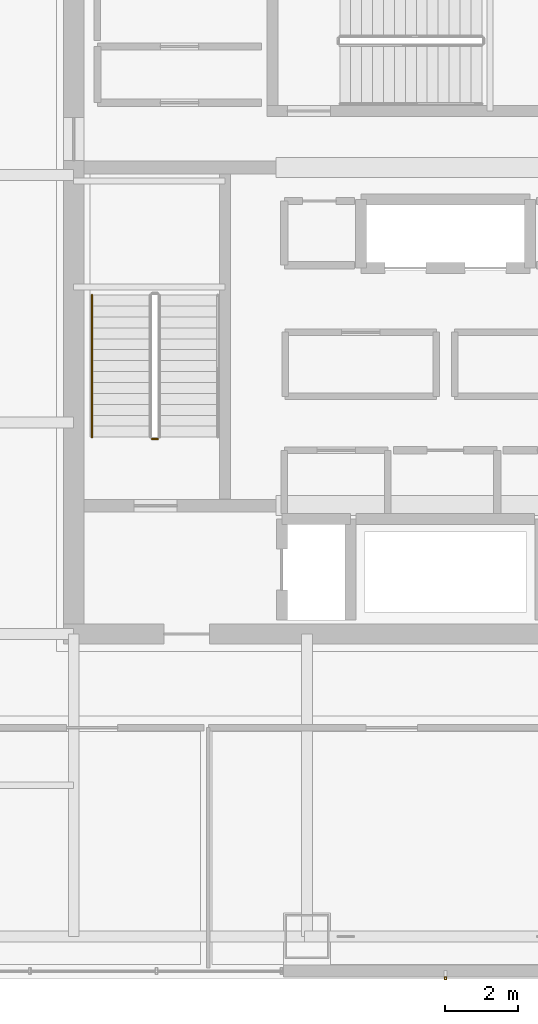
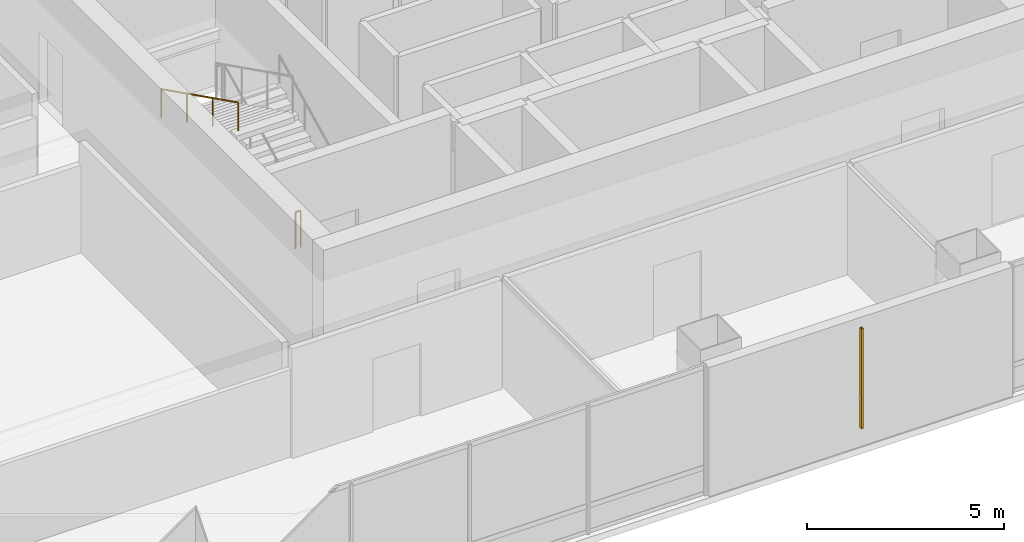
# One storey, part 37 of 43: 2 railings, 1 shading device.
"""IFC4 building model written with IfcOpenShell, lengths in metres."""

from ifc_helpers import new_model, si_unit, direction, frame, origin, origin_2d, place, context, subcontext, project, spatial, hollow_rectangle, circle, extrude, material, material_profile, profile_set, type_object, element, save


model = new_model("IFC4")

# Units and contexts
model_context = context("Model", 3, precision=1e-05, world=origin(), true_north=direction((0.0, 1.0)))
body_context = subcontext(model_context, "Body", "Model", "MODEL_VIEW")
ifc_project = project(units=[si_unit("LENGTHUNIT", "METRE"), si_unit("AREAUNIT", "SQUARE_METRE"), si_unit("VOLUMEUNIT", "CUBIC_METRE"), si_unit("PLANEANGLEUNIT", "RADIAN"), si_unit("MASSUNIT", "GRAM", prefix="KILO")], contexts=[model_context])

# Site, building, storey
site_placement = place(None, origin())
site = spatial("IfcSite", under=ifc_project, at=site_placement, CompositionType="ELEMENT")
building_placement = place(site_placement, origin())
building = spatial("IfcBuilding", under=site, at=building_placement, Name="Punatoya Terracotta Tower", CompositionType="ELEMENT")
storey_placement = place(building_placement, frame((0.0, 0.0, 300.60009765625)))
storey = spatial("IfcBuildingStorey", under=building, at=storey_placement, Name="L71", CompositionType="ELEMENT", Elevation=300.60009765625)

# Railings
ifc_material_1 = material(Name="Steel S355", Category="steel")
railing_type_1 = type_object("IfcRailingType", Name="RLG-GRD-1150", PredefinedType="GUARDRAIL", material=ifc_material_1)
railing_1_placement = place(storey_placement, frame((-7.89990234375, -3.85009765625, 0.0)))
element("IfcRailing", 1, at=railing_1_placement, inside=storey, type_object=railing_type_1, Name="L71 ST-1 stair guard 4", PredefinedType="GUARDRAIL", context=body_context, shape_type="SweptSolid", body=[
    extrude(circle(Radius=0.02392578125, at=origin_2d()), frame((0.0, 0.0, 1.1259765625), z_axis=(-1.0, 0.0, 0.0), x_axis=(0.0, -1.0, 0.0)), (0.0, 0.0, 1.0), 0.150146484375),
    extrude(circle(Radius=0.02099609375, at=origin_2d()), origin(), (0.0, 0.0, 1.0), 1.101806640625),
    extrude(circle(Radius=0.02099609375, at=origin_2d()), frame((-0.150146484375, 0.0, 0.0)), (0.0, 0.0, 1.0), 1.101806640625),
])
railing_type_2 = type_object("IfcRailingType", Name="RLG-HND-900", PredefinedType="HANDRAIL", material=ifc_material_1)
railing_2_placement = place(storey_placement, frame((-9.699951171875, 0.10009765625, 2.25)))
element("IfcRailing", 2, at=railing_2_placement, inside=storey, type_object=railing_type_2, Name="L71 ST-1 stair handrail 2", PredefinedType="HANDRAIL", context=body_context, shape_type="SweptSolid", body=[
    extrude(circle(Radius=0.02392578125, at=origin_2d()), frame((0.0, 0.0, 0.8759765625), z_axis=(0.0, -0.894438388696, 0.447191199406), x_axis=(1.0, 0.0, 0.0)), (0.0, 0.0, 1.0), 4.3603515625),
    extrude(circle(Radius=0.02099609375, at=origin_2d()), origin(), (0.0, 0.0, 1.0), 0.851806640625),
    extrude(circle(Radius=0.02099609375, at=origin_2d()), frame((0.0, -1.300048828125, 0.64990234375)), (0.0, 0.0, 1.0), 0.851806640625),
    extrude(circle(Radius=0.02099609375, at=origin_2d()), frame((0.0, -2.60009765625, 1.300048828125)), (0.0, 0.0, 1.0), 0.851806640625),
    extrude(circle(Radius=0.02099609375, at=origin_2d()), frame((0.0, -3.900146484375, 1.949951171875)), (0.0, 0.0, 1.0), 0.851806640625),
])

# Shading device
ifc_material_2 = material(Name="Architectural Fired Terracotta", Category="masonry")
ifc_material_profile = material_profile(ifc_material_2, hollow_rectangle(XDim=0.06005859375, YDim=0.090087890625, WallThickness=0.013916015625, at=origin_2d()))
ifc_profile_set = profile_set([ifc_material_profile], Name="Architectural Fired Terracotta")
shading_device_type = type_object("IfcShadingDeviceType", Name="SHD-JALI-90", PredefinedType="JALOUSIE", material=ifc_profile_set)
shading_device_placement = place(storey_placement, frame((0.0, -18.64990234375, 0.599853515625), z_axis=(0.0, 0.0, 1.0), x_axis=(1.0, 0.0, 0.0)))
element("IfcShadingDevice", 3, at=shading_device_placement, inside=storey, type_object=shading_device_type, Name="L71 Braced Bay Terracotta Jali Fin S1", PredefinedType="JALOUSIE", context=body_context, shape_type="SweptSolid", body=[
    extrude(hollow_rectangle(XDim=0.06005859375, YDim=0.090087890625, WallThickness=0.013916015625, at=origin_2d()), origin(), (0.0, 0.0, 1.0), 3.10009765625),
])

save(model, "model.ifc")
